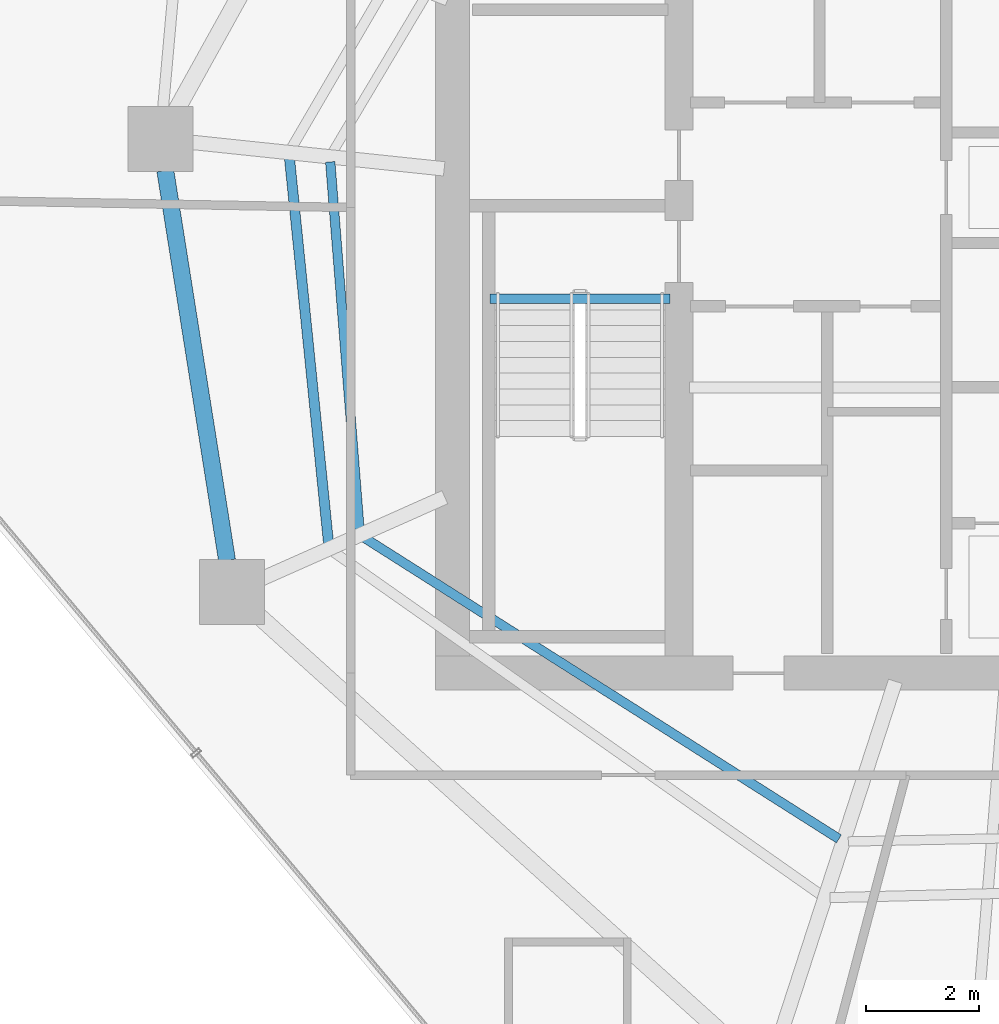
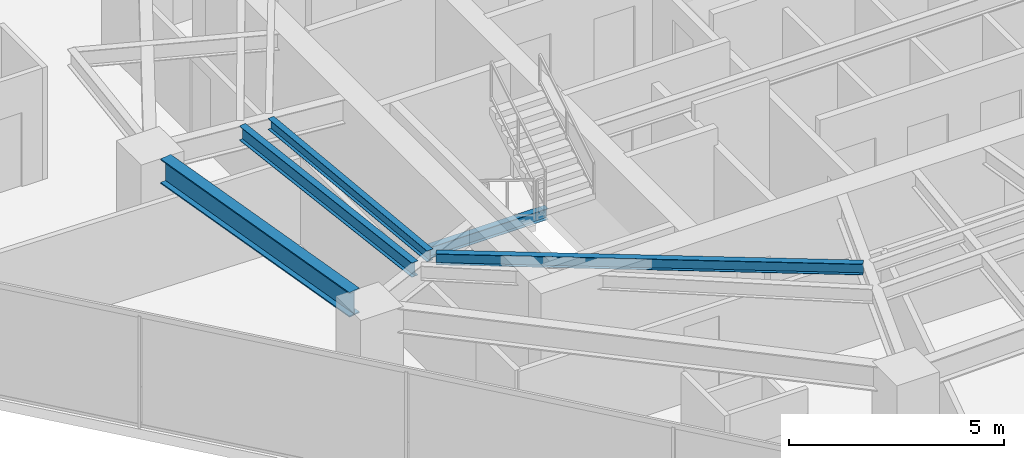
# One storey, part 8 of 27: 5 beams.
"""IFC4 building model written with IfcOpenShell, lengths in metres."""

from ifc_helpers import new_model, si_unit, direction, frame, origin, origin_2d, place, context, subcontext, project, spatial, i_section, extrude, material, material_profile, profile_set, type_object, element, save


model = new_model("IFC4")

# Units and contexts
model_context = context("Model", 3, precision=1e-05, world=origin(), true_north=direction((0.0, 1.0)))
body_context = subcontext(model_context, "Body", "Model", "MODEL_VIEW")
ifc_project = project(units=[si_unit("LENGTHUNIT", "METRE"), si_unit("AREAUNIT", "SQUARE_METRE"), si_unit("VOLUMEUNIT", "CUBIC_METRE"), si_unit("PLANEANGLEUNIT", "RADIAN"), si_unit("MASSUNIT", "GRAM", prefix="KILO")], contexts=[model_context])

# Site, building, storey
site_placement = place(None, origin())
site = spatial("IfcSite", under=ifc_project, at=site_placement, CompositionType="ELEMENT")
building_placement = place(site_placement, origin())
building = spatial("IfcBuilding", under=site, at=building_placement, Name="Qarnah Convention Tower", CompositionType="ELEMENT")
storey_placement = place(building_placement, frame((0.0, 0.0, 103.949951171875)))
storey = spatial("IfcBuildingStorey", under=building, at=storey_placement, Name="L27", CompositionType="ELEMENT", Elevation=103.949951171875)

# Beams
ifc_material = material(Name="Structural steel S355JR", Category="steel")
ifc_material_profile_1 = material_profile(ifc_material, i_section(OverallWidth=0.166015625, OverallDepth=0.31201171875, WebThickness=0.007080078125, FlangeThickness=0.010986328125, at=origin_2d()), Name="W310X45")
ifc_profile_set_1 = profile_set([ifc_material_profile_1], Name="Structural steel S355JR")
beam_type_1 = type_object("IfcBeamType", Name="BM-JST-W310", PredefinedType="JOIST", material=ifc_profile_set_1)
beam_1_placement = place(storey_placement, frame((27.4599609375, 25.217041015625, -0.156005859375), z_axis=(1.0, 0.0, 0.0), x_axis=(0.0, 1.0, 0.0)))
element("IfcBeam", 1, at=beam_1_placement, inside=storey, type_object=beam_type_1, Name="L27 stair landing trimmer beam BM-L27-ST1-TRM", PredefinedType="BEAM", context=body_context, shape_type="SweptSolid", body=[
    extrude(i_section(OverallWidth=0.166015625, OverallDepth=0.31201171875, WebThickness=0.007080078125, FlangeThickness=0.010986328125, at=origin_2d()), origin(), (0.0, 0.0, 1.0), 3.179931640625),
])
beam_2_placement = place(storey_placement, frame((24.637939453125, 27.631103515625, 3.01416015625), z_axis=(0.079450568975, -0.996838806974, 0.0), x_axis=(0.996838806974, 0.079450568975, 0.0)))
element("IfcBeam", 2, at=beam_2_placement, inside=storey, type_object=beam_type_1, Name="L27 joist BM-L27-IJST-05", PredefinedType="JOIST", context=body_context, shape_type="SweptSolid", body=[
    extrude(i_section(OverallWidth=0.166015625, OverallDepth=0.31201171875, WebThickness=0.007080078125, FlangeThickness=0.010986328125, at=origin_2d()), origin(), (0.0, 0.0, 1.0), 6.5205078125),
])
beam_3_placement = place(storey_placement, frame((25.239013671875, 20.992919921875, 3.01416015625), z_axis=(0.844366426135, -0.53576612287, 0.0), x_axis=(0.53576612287, 0.844366426135, 0.0)))
element("IfcBeam", 3, at=beam_3_placement, inside=storey, type_object=beam_type_1, Name="L27 joist BM-L27-IJST-06", PredefinedType="JOIST", context=body_context, shape_type="SweptSolid", body=[
    extrude(i_section(OverallWidth=0.166015625, OverallDepth=0.31201171875, WebThickness=0.007080078125, FlangeThickness=0.010986328125, at=origin_2d()), origin(), (0.0, 0.0, 1.0), 9.929443359375),
])
ifc_material_profile_2 = material_profile(ifc_material, i_section(OverallWidth=0.177978515625, OverallDepth=0.407958984375, WebThickness=0.008056640625, FlangeThickness=0.012939453125, at=origin_2d()), Name="W410X60")
ifc_profile_set_2 = profile_set([ifc_material_profile_2], Name="Structural steel S355JR")
beam_type_2 = type_object("IfcBeamType", Name="BM-JST-W410", PredefinedType="JOIST", material=ifc_profile_set_2)
beam_4_placement = place(storey_placement, frame((23.9169921875, 27.70703125, 2.966064453125), z_axis=(0.100946033179, -0.994891902865, 0.0), x_axis=(0.994891902865, 0.100946033179, 0.0)))
element("IfcBeam", 4, at=beam_4_placement, inside=storey, type_object=beam_type_2, Name="L27 joist BM-L27-SJST-05", PredefinedType="JOIST", context=body_context, shape_type="SweptSolid", body=[
    extrude(i_section(OverallWidth=0.177978515625, OverallDepth=0.407958984375, WebThickness=0.008056640625, FlangeThickness=0.012939453125, at=origin_2d()), origin(), (0.0, 0.0, 1.0), 6.85400390625),
])
ifc_material_profile_3 = material_profile(ifc_material, i_section(OverallWidth=0.300048828125, OverallDepth=0.699951171875, WebThickness=0.01708984375, FlangeThickness=0.031982421875, at=origin_2d()), Name="HEB700")
ifc_profile_set_3 = profile_set([ifc_material_profile_3], Name="Structural steel S355JR")
beam_type_3 = type_object("IfcBeamType", Name="BM-RING-HEB700", PredefinedType="BEAM", material=ifc_profile_set_3)
beam_5_placement = place(storey_placement, frame((21.72412109375, 27.47802734375, 2.820068359375), z_axis=(0.156482310627, -0.987680761411, 0.0), x_axis=(0.987680761411, 0.156482310627, 0.0)))
element("IfcBeam", 5, at=beam_5_placement, inside=storey, type_object=beam_type_3, Name="L27 beam BM-L27-SPN-05", PredefinedType="BEAM", context=body_context, shape_type="SweptSolid", body=[
    extrude(i_section(OverallWidth=0.300048828125, OverallDepth=0.699951171875, WebThickness=0.01708984375, FlangeThickness=0.031982421875, at=origin_2d()), origin(), (0.0, 0.0, 1.0), 6.970947265625),
])

save(model, "model.ifc")
